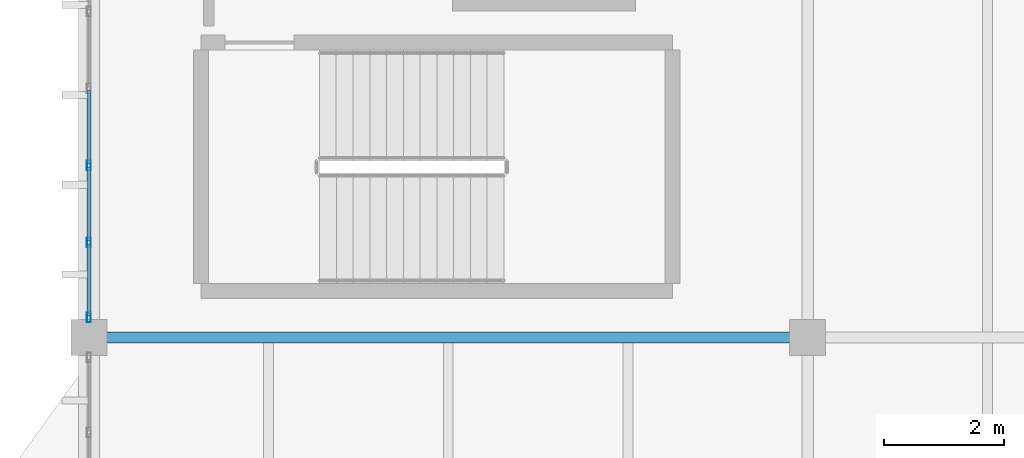
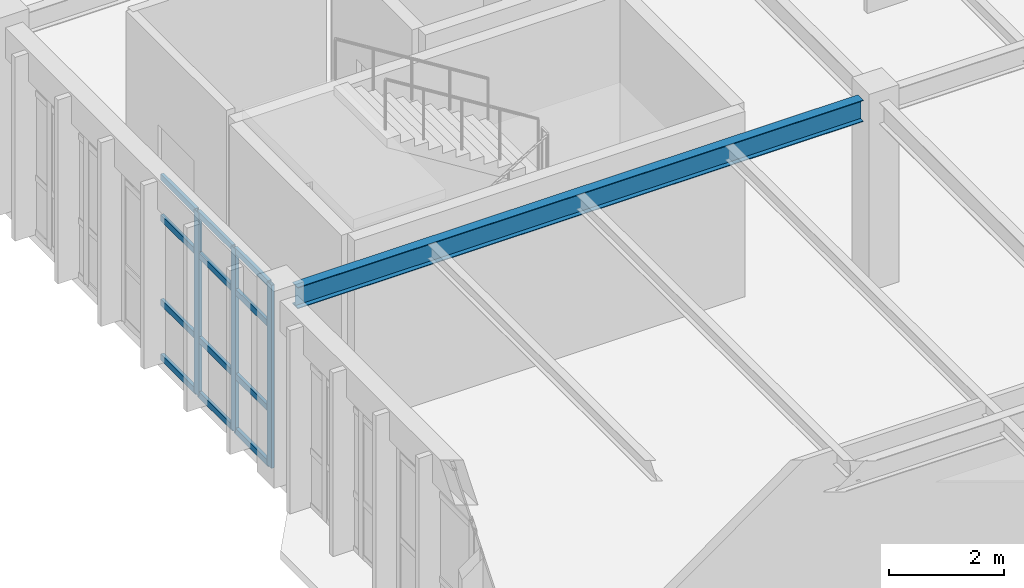
# One storey, part 8 of 37: 15 members, 1 beam, 1 element without a shape of its own.
"""IFC4 building model written with IfcOpenShell, lengths in metres."""

from ifc_helpers import new_model, si_unit, direction, frame, origin, origin_2d, place, context, subcontext, project, spatial, hollow_rectangle, i_section, extrude, material, layer, layer_set, material_profile, profile_set, type_object, element, aggregate, save


model = new_model("IFC4")

# Units and contexts
model_context = context("Model", 3, precision=1e-05, world=origin(), true_north=direction((0.0, 1.0)))
body_context = subcontext(model_context, "Body", "Model", "MODEL_VIEW")
ifc_project = project(units=[si_unit("LENGTHUNIT", "METRE"), si_unit("AREAUNIT", "SQUARE_METRE"), si_unit("VOLUMEUNIT", "CUBIC_METRE"), si_unit("PLANEANGLEUNIT", "RADIAN"), si_unit("MASSUNIT", "GRAM", prefix="KILO")], contexts=[model_context])

# Site, building, storey
site_placement = place(None, origin())
site = spatial("IfcSite", under=ifc_project, at=site_placement, CompositionType="ELEMENT")
building_placement = place(site_placement, origin())
building = spatial("IfcBuilding", under=site, at=building_placement, Name="Pandanus Reach Market Hall", CompositionType="ELEMENT")
storey_placement = place(building_placement, frame((0.0, 0.0, 14.39990234375)))
storey = spatial("IfcBuildingStorey", under=building, at=storey_placement, Name="L03", CompositionType="ELEMENT", Elevation=14.39990234375)

# Beam
ifc_material_1 = material(Name="Steel Grade 350 (350 MPa)", Category="steel")
ifc_material_profile_1 = material_profile(ifc_material_1, i_section(OverallWidth=0.18994140625, OverallDepth=0.45703125, WebThickness=0.009033203125, FlangeThickness=0.014404296875, at=origin_2d()), Name="460UB74.6", Category="LoadBearing")
ifc_profile_set_1 = profile_set([ifc_material_profile_1], Name="Steel Grade 350 (350 MPa)")
beam_type = type_object("IfcBeamType", Name="BM-UB460-I", PredefinedType="BEAM", material=ifc_profile_set_1)
beam_placement = place(storey_placement, frame((144.298095703125, 48.0, 3.726318359375), z_axis=(1.0, 0.0, 0.0), x_axis=(0.0, 1.0, 0.0)))
element("IfcBeam", 1, at=beam_placement, inside=storey, type_object=beam_type, Name="Framing beam BM-UB460-I L03.542", PredefinedType="BEAM", context=body_context, shape_type="SweptSolid", body=[
    extrude(i_section(OverallWidth=0.18994140625, OverallDepth=0.45703125, WebThickness=0.009033203125, FlangeThickness=0.014404296875, at=origin_2d()), origin(), (0.0, 0.0, 1.0), 11.40380859375),
])

# Curtain wall, members
ifc_material_2 = material(Name="Bronze anodised aluminium and low-E glass", Category="aluminium")
ifc_layer = layer(ifc_material_2, 0.159912109375, Name="CW-33")
ifc_layer_set = layer_set([ifc_layer], Name="Bronze anodised aluminium and low-E glass")
curtain_wall_type = type_object("IfcCurtainWallType", Name="CW-33", PredefinedType="NOTDEFINED", material=ifc_layer_set)
curtain_wall_placement = place(storey_placement, origin())
curtain_wall = element("IfcCurtainWall", 2, at=curtain_wall_placement, inside=storey, type_object=curtain_wall_type, Name="Glazed curtain wall CW-33 CW-0124", PredefinedType="NOTDEFINED")
ifc_material_3 = material(Name="Bronze anodised aluminium", Category="aluminium")
ifc_material_profile_2 = material_profile(ifc_material_3, hollow_rectangle(XDim=0.06494140625, YDim=0.159912109375, WallThickness=0.00390625, at=origin_2d()), Name="ALU65x160", Category="LoadBearing")
ifc_profile_set_2 = profile_set([ifc_material_profile_2], Name="Bronze anodised aluminium")
member_type_1 = type_object("IfcMemberType", Name="CW-M1", PredefinedType="MULLION", material=ifc_profile_set_2)
member_1_placement = place(storey_placement, frame((144.0, 48.33251953125, 0.0), z_axis=(0.0, 0.0, 1.0), x_axis=(-1.0, 0.0, 0.0)))
member_1 = element("IfcMember", 3, at=member_1_placement, type_object=member_type_1, Name="CW-33 mullion 1", PredefinedType="MULLION", context=body_context, shape_type="SweptSolid", body=[
    extrude(hollow_rectangle(XDim=0.06494140625, YDim=0.159912109375, WallThickness=0.00390625, at=origin_2d()), origin(), (0.0, 0.0, 1.0), 3.900146484375),
])
member_2_placement = place(storey_placement, frame((144.0, 49.585693359375, 0.0), z_axis=(0.0, 0.0, 1.0), x_axis=(-1.0, 0.0, 0.0)))
member_2 = element("IfcMember", 4, at=member_2_placement, type_object=member_type_1, Name="CW-33 mullion 2", PredefinedType="MULLION", context=body_context, shape_type="SweptSolid", body=[
    extrude(hollow_rectangle(XDim=0.06494140625, YDim=0.159912109375, WallThickness=0.00390625, at=origin_2d()), origin(), (0.0, 0.0, 1.0), 3.900146484375),
])
member_3_placement = place(storey_placement, frame((144.0, 50.871337890625, 0.0), z_axis=(0.0, 0.0, 1.0), x_axis=(-1.0, 0.0, 0.0)))
member_3 = element("IfcMember", 5, at=member_3_placement, type_object=member_type_1, Name="CW-33 mullion 3", PredefinedType="MULLION", context=body_context, shape_type="SweptSolid", body=[
    extrude(hollow_rectangle(XDim=0.06494140625, YDim=0.159912109375, WallThickness=0.00390625, at=origin_2d()), origin(), (0.0, 0.0, 1.0), 3.900146484375),
])
ifc_material_profile_3 = material_profile(ifc_material_3, hollow_rectangle(XDim=0.06494140625, YDim=0.1298828125, WallThickness=0.00390625, at=origin_2d()), Name="ALU65x130", Category="LoadBearing")
ifc_profile_set_3 = profile_set([ifc_material_profile_3], Name="Bronze anodised aluminium")
member_type_2 = type_object("IfcMemberType", Name="CW-T1", PredefinedType="USERDEFINED", material=ifc_profile_set_3)
member_4_placement = place(storey_placement, frame((144.0, 48.364990234375, 0.03271484375), z_axis=(0.0, 1.0, 0.0), x_axis=(-1.0, 0.0, 0.0)))
member_4 = element("IfcMember", 6, at=member_4_placement, type_object=member_type_2, Name="CW-33 transom 1.1", ObjectType="TRANSOM", PredefinedType="USERDEFINED", context=body_context, shape_type="SweptSolid", body=[
    extrude(hollow_rectangle(XDim=0.06494140625, YDim=0.1298828125, WallThickness=0.00390625, at=origin_2d()), origin(), (0.0, 0.0, 1.0), 1.188232421875),
])
member_5_placement = place(storey_placement, frame((144.0, 48.364990234375, 1.2001953125), z_axis=(0.0, 1.0, 0.0), x_axis=(-1.0, 0.0, 0.0)))
member_5 = element("IfcMember", 7, at=member_5_placement, type_object=member_type_2, Name="CW-33 transom 1.2", ObjectType="TRANSOM", PredefinedType="USERDEFINED", context=body_context, shape_type="SweptSolid", body=[
    extrude(hollow_rectangle(XDim=0.06494140625, YDim=0.1298828125, WallThickness=0.00390625, at=origin_2d()), origin(), (0.0, 0.0, 1.0), 1.188232421875),
])
member_6_placement = place(storey_placement, frame((144.0, 48.364990234375, 3.0), z_axis=(0.0, 1.0, 0.0), x_axis=(-1.0, 0.0, 0.0)))
member_6 = element("IfcMember", 8, at=member_6_placement, type_object=member_type_2, Name="CW-33 transom 1.3", ObjectType="TRANSOM", PredefinedType="USERDEFINED", context=body_context, shape_type="SweptSolid", body=[
    extrude(hollow_rectangle(XDim=0.06494140625, YDim=0.1298828125, WallThickness=0.00390625, at=origin_2d()), origin(), (0.0, 0.0, 1.0), 1.188232421875),
])
member_7_placement = place(storey_placement, frame((144.0, 48.364990234375, 3.86767578125), z_axis=(0.0, 1.0, 0.0), x_axis=(-1.0, 0.0, 0.0)))
member_7 = element("IfcMember", 9, at=member_7_placement, type_object=member_type_2, Name="CW-33 transom 1.4", ObjectType="TRANSOM", PredefinedType="USERDEFINED", context=body_context, shape_type="SweptSolid", body=[
    extrude(hollow_rectangle(XDim=0.06494140625, YDim=0.1298828125, WallThickness=0.00390625, at=origin_2d()), origin(), (0.0, 0.0, 1.0), 1.188232421875),
])
member_8_placement = place(storey_placement, frame((144.0, 49.6181640625, 0.03271484375), z_axis=(0.0, 1.0, 0.0), x_axis=(-1.0, 0.0, 0.0)))
member_8 = element("IfcMember", 10, at=member_8_placement, type_object=member_type_2, Name="CW-33 transom 2.1", ObjectType="TRANSOM", PredefinedType="USERDEFINED", context=body_context, shape_type="SweptSolid", body=[
    extrude(hollow_rectangle(XDim=0.06494140625, YDim=0.1298828125, WallThickness=0.00390625, at=origin_2d()), origin(), (0.0, 0.0, 1.0), 1.220703125),
])
member_9_placement = place(storey_placement, frame((144.0, 49.6181640625, 1.2001953125), z_axis=(0.0, 1.0, 0.0), x_axis=(-1.0, 0.0, 0.0)))
member_9 = element("IfcMember", 11, at=member_9_placement, type_object=member_type_2, Name="CW-33 transom 2.2", ObjectType="TRANSOM", PredefinedType="USERDEFINED", context=body_context, shape_type="SweptSolid", body=[
    extrude(hollow_rectangle(XDim=0.06494140625, YDim=0.1298828125, WallThickness=0.00390625, at=origin_2d()), origin(), (0.0, 0.0, 1.0), 1.220703125),
])
member_10_placement = place(storey_placement, frame((144.0, 49.6181640625, 3.0), z_axis=(0.0, 1.0, 0.0), x_axis=(-1.0, 0.0, 0.0)))
member_10 = element("IfcMember", 12, at=member_10_placement, type_object=member_type_2, Name="CW-33 transom 2.3", ObjectType="TRANSOM", PredefinedType="USERDEFINED", context=body_context, shape_type="SweptSolid", body=[
    extrude(hollow_rectangle(XDim=0.06494140625, YDim=0.1298828125, WallThickness=0.00390625, at=origin_2d()), origin(), (0.0, 0.0, 1.0), 1.220703125),
])
member_11_placement = place(storey_placement, frame((144.0, 49.6181640625, 3.86767578125), z_axis=(0.0, 1.0, 0.0), x_axis=(-1.0, 0.0, 0.0)))
member_11 = element("IfcMember", 13, at=member_11_placement, type_object=member_type_2, Name="CW-33 transom 2.4", ObjectType="TRANSOM", PredefinedType="USERDEFINED", context=body_context, shape_type="SweptSolid", body=[
    extrude(hollow_rectangle(XDim=0.06494140625, YDim=0.1298828125, WallThickness=0.00390625, at=origin_2d()), origin(), (0.0, 0.0, 1.0), 1.220703125),
])
member_12_placement = place(storey_placement, frame((144.0, 50.90380859375, 0.03271484375), z_axis=(0.0, 1.0, 0.0), x_axis=(-1.0, 0.0, 0.0)))
member_12 = element("IfcMember", 14, at=member_12_placement, type_object=member_type_2, Name="CW-33 transom 3.1", ObjectType="TRANSOM", PredefinedType="USERDEFINED", context=body_context, shape_type="SweptSolid", body=[
    extrude(hollow_rectangle(XDim=0.06494140625, YDim=0.1298828125, WallThickness=0.00390625, at=origin_2d()), origin(), (0.0, 0.0, 1.0), 1.220947265625),
])
member_13_placement = place(storey_placement, frame((144.0, 50.90380859375, 1.2001953125), z_axis=(0.0, 1.0, 0.0), x_axis=(-1.0, 0.0, 0.0)))
member_13 = element("IfcMember", 15, at=member_13_placement, type_object=member_type_2, Name="CW-33 transom 3.2", ObjectType="TRANSOM", PredefinedType="USERDEFINED", context=body_context, shape_type="SweptSolid", body=[
    extrude(hollow_rectangle(XDim=0.06494140625, YDim=0.1298828125, WallThickness=0.00390625, at=origin_2d()), origin(), (0.0, 0.0, 1.0), 1.220947265625),
])
member_14_placement = place(storey_placement, frame((144.0, 50.90380859375, 3.0), z_axis=(0.0, 1.0, 0.0), x_axis=(-1.0, 0.0, 0.0)))
member_14 = element("IfcMember", 16, at=member_14_placement, type_object=member_type_2, Name="CW-33 transom 3.3", ObjectType="TRANSOM", PredefinedType="USERDEFINED", context=body_context, shape_type="SweptSolid", body=[
    extrude(hollow_rectangle(XDim=0.06494140625, YDim=0.1298828125, WallThickness=0.00390625, at=origin_2d()), origin(), (0.0, 0.0, 1.0), 1.220947265625),
])
member_15_placement = place(storey_placement, frame((144.0, 50.90380859375, 3.86767578125), z_axis=(0.0, 1.0, 0.0), x_axis=(-1.0, 0.0, 0.0)))
member_15 = element("IfcMember", 17, at=member_15_placement, type_object=member_type_2, Name="CW-33 transom 3.4", ObjectType="TRANSOM", PredefinedType="USERDEFINED", context=body_context, shape_type="SweptSolid", body=[
    extrude(hollow_rectangle(XDim=0.06494140625, YDim=0.1298828125, WallThickness=0.00390625, at=origin_2d()), origin(), (0.0, 0.0, 1.0), 1.220947265625),
])
aggregate(curtain_wall, [member_1, member_2, member_3, member_4, member_5, member_6, member_7, member_8, member_9, member_10, member_11, member_12, member_13, member_14, member_15])

save(model, "model.ifc")
